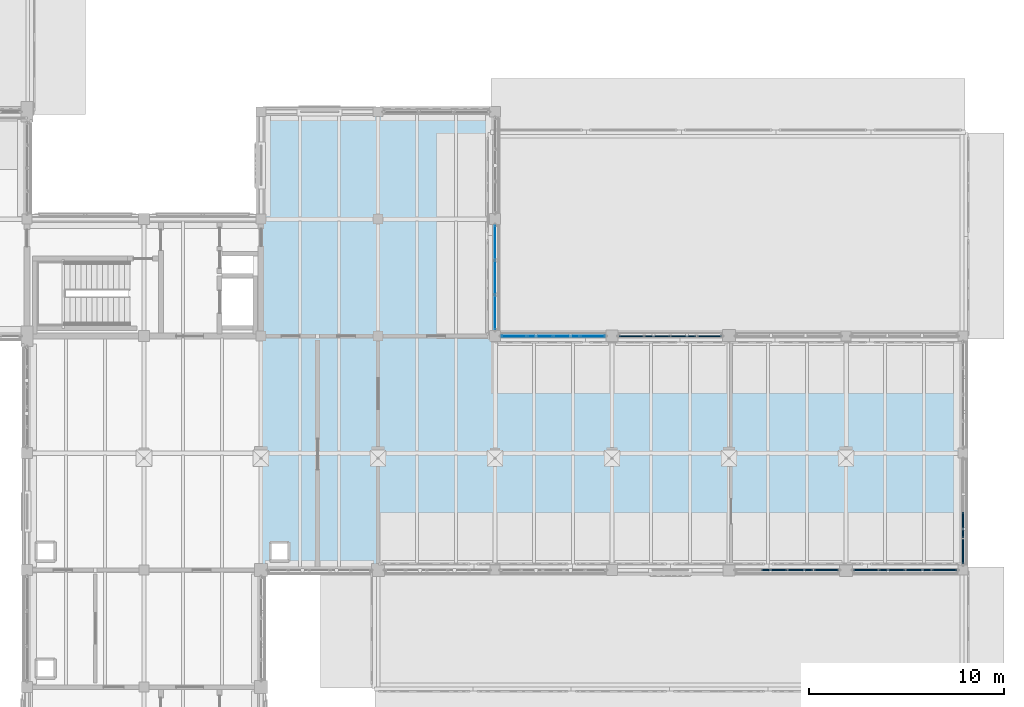
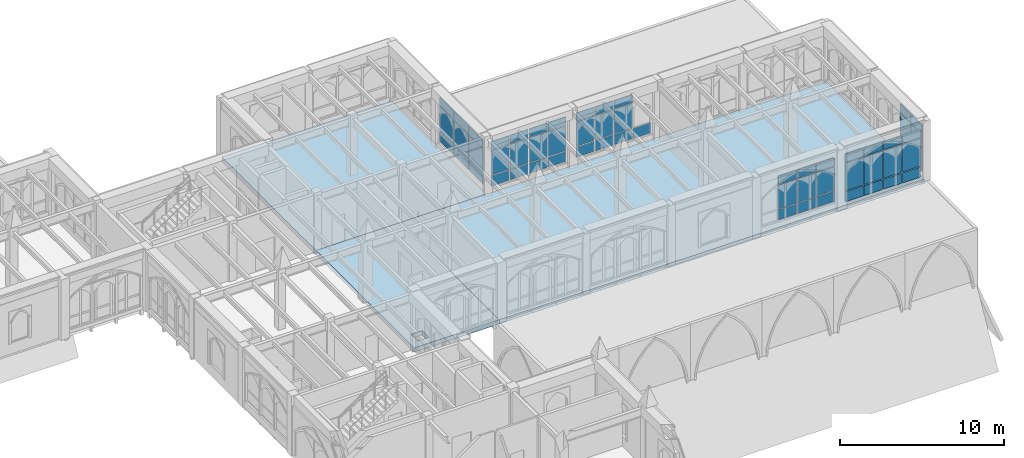
# One storey, part 98 of 143: 58 plates, 3 slabs, 6 elements without a shape of their own.
"""IFC4 building model written with IfcOpenShell, lengths in metres."""

from ifc_helpers import new_model, si_unit, direction, frame, origin, origin_2d, place, context, subcontext, project, spatial, polyline, rectangle, outline, extrude, material, layer, layer_set, type_object, element, aggregate, save


model = new_model("IFC4")

# Units and contexts
model_context = context("Model", 3, precision=1e-05, world=origin(), true_north=direction((0.0, 1.0)))
body_context = subcontext(model_context, "Body", "Model", "MODEL_VIEW")
ifc_project = project(units=[si_unit("LENGTHUNIT", "METRE"), si_unit("AREAUNIT", "SQUARE_METRE"), si_unit("VOLUMEUNIT", "CUBIC_METRE"), si_unit("PLANEANGLEUNIT", "RADIAN"), si_unit("MASSUNIT", "GRAM", prefix="KILO")], contexts=[model_context])

# Site, building, storey
site_placement = place(None, origin())
site = spatial("IfcSite", under=ifc_project, at=site_placement, CompositionType="ELEMENT")
building_placement = place(site_placement, origin())
building = spatial("IfcBuilding", under=site, at=building_placement, Name="Cumevento Cable Car Station", CompositionType="ELEMENT")
storey_placement = place(building_placement, frame((0.0, 0.0, 9.0)))
storey = spatial("IfcBuildingStorey", under=building, at=storey_placement, Name="L03", CompositionType="ELEMENT", Elevation=9.0)

# Slabs
ifc_material_1 = material(Name="Concrete C40/50", Category="concrete")
ifc_layer_1 = layer(ifc_material_1, 0.31005859375)
ifc_layer_set_1 = layer_set([ifc_layer_1], Name="Concrete C40/50")
slab_type_1 = type_object("IfcSlabType", Name="Concrete Deck BS-310 310", PredefinedType="BASESLAB", material=ifc_layer_set_1)
slab_1_placement = place(storey_placement, frame((0.0, 0.0, -0.31005859375)))
element("IfcSlab", 1, at=slab_1_placement, inside=storey, type_object=slab_type_1, Name="Base Slab BS-310 L03 B_V5b.1", PredefinedType="BASESLAB", context=body_context, shape_type="SweptSolid", body=[
    extrude(outline(polyline([(136.0, 33.0), (166.0, 33.0), (166.0, 45.0), (136.0, 45.0), (136.0, 33.0)])), origin(), (0.0, 0.0, 1.0), 0.31005859375),
])
ifc_material_2 = material(Name="Concrete C40/50", Category="concrete")
ifc_layer_2 = layer(ifc_material_2, 0.35009765625)
ifc_layer_set_2 = layer_set([ifc_layer_2], Name="Concrete C40/50")
slab_type_2 = type_object("IfcSlabType", Name="Concrete Deck BS-350 350", PredefinedType="BASESLAB", material=ifc_layer_set_2)
slab_2_placement = place(storey_placement, frame((0.0, 0.0, -0.35009765625)))
element("IfcSlab", 2, at=slab_2_placement, inside=storey, type_object=slab_type_2, Name="Base Slab BS-350 L03 B_V5c.1", PredefinedType="BASESLAB", context=body_context, shape_type="SweptSolid", body=[
    extrude(outline(polyline([(130.0, 45.0), (142.0, 45.0), (142.0, 56.5), (130.0, 56.5), (130.0, 45.0)])), origin(), (0.0, 0.0, 1.0), 0.35009765625),
])
ifc_material_3 = material(Name="Concrete C40/50", Category="concrete")
ifc_layer_3 = layer(ifc_material_3, 0.31494140625)
ifc_layer_set_3 = layer_set([ifc_layer_3], Name="Concrete C40/50")
slab_type_3 = type_object("IfcSlabType", Name="Concrete Deck FS-315 315", PredefinedType="FLOOR", material=ifc_layer_set_3)
slab_3_placement = place(storey_placement, frame((0.0, 0.0, -0.31494140625)))
element("IfcSlab", 3, at=slab_3_placement, inside=storey, type_object=slab_type_3, Name="Floor Slab FS-315 L03 B_V5a.2", PredefinedType="FLOOR", context=body_context, shape_type="SweptSolid", body=[
    extrude(outline(polyline([(130.0, 33.0), (136.0, 33.0), (136.0, 45.0), (130.0, 45.0), (130.0, 33.0)]), holes=[polyline([(130.550048828125, 33.550048828125), (131.35009765625, 33.550048828125), (131.35009765625, 34.35009765625), (130.550048828125, 34.35009765625), (130.550048828125, 33.550048828125)])]), origin(), (0.0, 0.0, 1.0), 0.31494140625),
])

# Curtain wall, plates
ifc_material_4 = material(Name="Anodised Bronze Aluminium AW-6063-T6", Category="aluminium")
ifc_layer_4 = layer(ifc_material_4, 0.243896484375)
ifc_layer_set_4 = layer_set([ifc_layer_4], Name="Anodised Bronze Aluminium AW-6063-T6")
curtain_wall_type_1 = type_object("IfcCurtainWallType", Name="Lancet Curtain Wall CW-15 1610", PredefinedType="NOTDEFINED", material=ifc_layer_set_4)
curtain_wall_1_placement = place(storey_placement, origin())
curtain_wall_1 = element("IfcCurtainWall", 4, at=curtain_wall_1_placement, inside=storey, type_object=curtain_wall_type_1, Name="Lancet Curtain Wall CW-15 L03 #142", PredefinedType="NOTDEFINED")
ifc_material_5 = material(Name="Solar Control Laminated Double Glazing", Category="glass")
ifc_layer_5 = layer(ifc_material_5, 0.030029296875)
ifc_layer_set_5 = layer_set([ifc_layer_5], Name="Solar Control Laminated Double Glazing")
plate_type_1 = type_object("IfcPlateType", Name="Glazed Panel CWP-03 30", PredefinedType="CURTAIN_PANEL", material=ifc_layer_set_5)
plate_1_placement = place(storey_placement, frame((142.0, 49.800537109375, 0.525146484375), z_axis=(0.0, 0.0, 1.0), x_axis=(0.0, -1.0, 0.0)))
plate_1 = element("IfcPlate", 5, at=plate_1_placement, type_object=plate_type_1, Name="CW-15 panel 1.1", PredefinedType="CURTAIN_PANEL", context=body_context, shape_type="SweptSolid", body=[
    extrude(rectangle(XDim=1.71923828125, YDim=0.030029296875, at=origin_2d()), origin(), (0.0, 0.0, 1.0), 0.75244140625),
])
plate_2_placement = place(storey_placement, frame((142.0, 49.800537109375, 1.342529296875), z_axis=(0.0, 0.0, 1.0), x_axis=(0.0, -1.0, 0.0)))
plate_2 = element("IfcPlate", 6, at=plate_2_placement, type_object=plate_type_1, Name="CW-15 panel 1.2", PredefinedType="CURTAIN_PANEL", context=body_context, shape_type="SweptSolid", body=[
    extrude(rectangle(XDim=1.71923828125, YDim=0.030029296875, at=origin_2d()), origin(), (0.0, 0.0, 1.0), 1.7939453125),
])
plate_3_placement = place(storey_placement, frame((142.0, 49.800537109375, 3.201416015625), z_axis=(0.0, 0.0, 1.0), x_axis=(0.0, -1.0, 0.0)))
plate_3 = element("IfcPlate", 7, at=plate_3_placement, type_object=plate_type_1, Name="CW-15 panel 1.3", PredefinedType="CURTAIN_PANEL", context=body_context, shape_type="SweptSolid", body=[
    extrude(rectangle(XDim=1.71923828125, YDim=0.030029296875, at=origin_2d()), origin(), (0.0, 0.0, 1.0), 0.6025390625),
])
plate_4_placement = place(storey_placement, frame((142.0, 48.0, 0.525146484375), z_axis=(0.0, 0.0, 1.0), x_axis=(0.0, -1.0, 0.0)))
plate_4 = element("IfcPlate", 8, at=plate_4_placement, type_object=plate_type_1, Name="CW-15 panel 2.1", PredefinedType="CURTAIN_PANEL", context=body_context, shape_type="SweptSolid", body=[
    extrude(rectangle(XDim=1.751708984375, YDim=0.030029296875, at=origin_2d()), origin(), (0.0, 0.0, 1.0), 0.75244140625),
])
plate_5_placement = place(storey_placement, frame((142.0, 48.0, 1.342529296875), z_axis=(0.0, 0.0, 1.0), x_axis=(0.0, -1.0, 0.0)))
plate_5 = element("IfcPlate", 9, at=plate_5_placement, type_object=plate_type_1, Name="CW-15 panel 2.2", PredefinedType="CURTAIN_PANEL", context=body_context, shape_type="SweptSolid", body=[
    extrude(rectangle(XDim=1.751708984375, YDim=0.030029296875, at=origin_2d()), origin(), (0.0, 0.0, 1.0), 1.7939453125),
])
plate_6_placement = place(storey_placement, frame((142.0, 48.0, 3.201416015625), z_axis=(0.0, 0.0, 1.0), x_axis=(0.0, -1.0, 0.0)))
plate_6 = element("IfcPlate", 10, at=plate_6_placement, type_object=plate_type_1, Name="CW-15 panel 2.3", PredefinedType="CURTAIN_PANEL", context=body_context, shape_type="SweptSolid", body=[
    extrude(rectangle(XDim=1.751708984375, YDim=0.030029296875, at=origin_2d()), origin(), (0.0, 0.0, 1.0), 0.6025390625),
])
plate_7_placement = place(storey_placement, frame((142.0, 46.199462890625, 0.525146484375), z_axis=(0.0, 0.0, 1.0), x_axis=(0.0, -1.0, 0.0)))
plate_7 = element("IfcPlate", 11, at=plate_7_placement, type_object=plate_type_1, Name="CW-15 panel 3.1", PredefinedType="CURTAIN_PANEL", context=body_context, shape_type="SweptSolid", body=[
    extrude(rectangle(XDim=1.71923828125, YDim=0.030029296875, at=origin_2d()), origin(), (0.0, 0.0, 1.0), 0.75244140625),
])
plate_8_placement = place(storey_placement, frame((142.0, 46.199462890625, 1.342529296875), z_axis=(0.0, 0.0, 1.0), x_axis=(0.0, -1.0, 0.0)))
plate_8 = element("IfcPlate", 12, at=plate_8_placement, type_object=plate_type_1, Name="CW-15 panel 3.2", PredefinedType="CURTAIN_PANEL", context=body_context, shape_type="SweptSolid", body=[
    extrude(rectangle(XDim=1.71923828125, YDim=0.030029296875, at=origin_2d()), origin(), (0.0, 0.0, 1.0), 1.7939453125),
])
plate_9_placement = place(storey_placement, frame((142.0, 46.199462890625, 3.201416015625), z_axis=(0.0, 0.0, 1.0), x_axis=(0.0, -1.0, 0.0)))
plate_9 = element("IfcPlate", 13, at=plate_9_placement, type_object=plate_type_1, Name="CW-15 panel 3.3", PredefinedType="CURTAIN_PANEL", context=body_context, shape_type="SweptSolid", body=[
    extrude(rectangle(XDim=1.71923828125, YDim=0.030029296875, at=origin_2d()), origin(), (0.0, 0.0, 1.0), 0.6025390625),
])
aggregate(curtain_wall_1, [plate_1, plate_2, plate_3, plate_4, plate_5, plate_6, plate_7, plate_8, plate_9])

ifc_material_6 = material(Name="Anodised Bronze Aluminium AW-6063-T6", Category="aluminium")
ifc_layer_6 = layer(ifc_material_6, 0.18994140625)
ifc_layer_set_6 = layer_set([ifc_layer_6], Name="Anodised Bronze Aluminium AW-6063-T6")
curtain_wall_type_2 = type_object("IfcCurtainWallType", Name="Lancet Curtain Wall CW-06 1250", PredefinedType="NOTDEFINED", material=ifc_layer_set_6)
curtain_wall_2_placement = place(storey_placement, origin())
curtain_wall_2 = element("IfcCurtainWall", 14, at=curtain_wall_2_placement, inside=storey, type_object=curtain_wall_type_2, Name="Lancet Curtain Wall CW-06 L03 #133", PredefinedType="NOTDEFINED")
ifc_material_7 = material(Name="Solar Control Laminated Double Glazing", Category="glass")
ifc_layer_7 = layer(ifc_material_7, 0.050048828125)
ifc_layer_set_7 = layer_set([ifc_layer_7], Name="Solar Control Laminated Double Glazing")
plate_type_2 = type_object("IfcPlateType", Name="Glazed Panel CWP-08 50", PredefinedType="CURTAIN_PANEL", material=ifc_layer_set_7)
plate_10_placement = place(storey_placement, frame((142.969482421875, 45.0, 0.47509765625), z_axis=(0.0, 0.0, 1.0), x_axis=(1.0, 0.0, 0.0)))
plate_10 = element("IfcPlate", 15, at=plate_10_placement, type_object=plate_type_2, Name="CW-06 panel 1.1", PredefinedType="CURTAIN_PANEL", context=body_context, shape_type="SweptSolid", body=[
    extrude(rectangle(XDim=1.2587890625, YDim=0.050048828125, at=origin_2d()), origin(), (0.0, 0.0, 1.0), 0.75244140625),
])
plate_11_placement = place(storey_placement, frame((142.969482421875, 45.0, 1.29248046875), z_axis=(0.0, 0.0, 1.0), x_axis=(1.0, 0.0, 0.0)))
plate_11 = element("IfcPlate", 16, at=plate_11_placement, type_object=plate_type_2, Name="CW-06 panel 1.2", PredefinedType="CURTAIN_PANEL", context=body_context, shape_type="SweptSolid", body=[
    extrude(rectangle(XDim=1.2587890625, YDim=0.050048828125, at=origin_2d()), origin(), (0.0, 0.0, 1.0), 1.843994140625),
])
plate_12_placement = place(storey_placement, frame((142.969482421875, 45.0, 3.201416015625), z_axis=(0.0, 0.0, 1.0), x_axis=(1.0, 0.0, 0.0)))
plate_12 = element("IfcPlate", 17, at=plate_12_placement, type_object=plate_type_2, Name="CW-06 panel 1.3", PredefinedType="CURTAIN_PANEL", context=body_context, shape_type="SweptSolid", body=[
    extrude(rectangle(XDim=1.2587890625, YDim=0.050048828125, at=origin_2d()), origin(), (0.0, 0.0, 1.0), 0.6025390625),
])
plate_13_placement = place(storey_placement, frame((144.309326171875, 45.0, 0.47509765625), z_axis=(0.0, 0.0, 1.0), x_axis=(1.0, 0.0, 0.0)))
plate_13 = element("IfcPlate", 18, at=plate_13_placement, type_object=plate_type_2, Name="CW-06 panel 2.1", PredefinedType="CURTAIN_PANEL", context=body_context, shape_type="SweptSolid", body=[
    extrude(rectangle(XDim=1.291259765625, YDim=0.050048828125, at=origin_2d()), origin(), (0.0, 0.0, 1.0), 0.75244140625),
])
plate_14_placement = place(storey_placement, frame((144.309326171875, 45.0, 1.29248046875), z_axis=(0.0, 0.0, 1.0), x_axis=(1.0, 0.0, 0.0)))
plate_14 = element("IfcPlate", 19, at=plate_14_placement, type_object=plate_type_2, Name="CW-06 panel 2.2", PredefinedType="CURTAIN_PANEL", context=body_context, shape_type="SweptSolid", body=[
    extrude(rectangle(XDim=1.291259765625, YDim=0.050048828125, at=origin_2d()), origin(), (0.0, 0.0, 1.0), 1.843994140625),
])
plate_15_placement = place(storey_placement, frame((144.309326171875, 45.0, 3.201416015625), z_axis=(0.0, 0.0, 1.0), x_axis=(1.0, 0.0, 0.0)))
plate_15 = element("IfcPlate", 20, at=plate_15_placement, type_object=plate_type_2, Name="CW-06 panel 2.3", PredefinedType="CURTAIN_PANEL", context=body_context, shape_type="SweptSolid", body=[
    extrude(rectangle(XDim=1.291259765625, YDim=0.050048828125, at=origin_2d()), origin(), (0.0, 0.0, 1.0), 0.6025390625),
])
plate_16_placement = place(storey_placement, frame((145.66552734375, 45.0, 0.47509765625), z_axis=(0.0, 0.0, 1.0), x_axis=(1.0, 0.0, 0.0)))
plate_16 = element("IfcPlate", 21, at=plate_16_placement, type_object=plate_type_2, Name="CW-06 panel 3.1", PredefinedType="CURTAIN_PANEL", context=body_context, shape_type="SweptSolid", body=[
    extrude(rectangle(XDim=1.291259765625, YDim=0.050048828125, at=origin_2d()), origin(), (0.0, 0.0, 1.0), 0.75244140625),
])
plate_17_placement = place(storey_placement, frame((145.66552734375, 45.0, 1.29248046875), z_axis=(0.0, 0.0, 1.0), x_axis=(1.0, 0.0, 0.0)))
plate_17 = element("IfcPlate", 22, at=plate_17_placement, type_object=plate_type_2, Name="CW-06 panel 3.2", PredefinedType="CURTAIN_PANEL", context=body_context, shape_type="SweptSolid", body=[
    extrude(rectangle(XDim=1.291259765625, YDim=0.050048828125, at=origin_2d()), origin(), (0.0, 0.0, 1.0), 1.843994140625),
])
plate_18_placement = place(storey_placement, frame((145.66552734375, 45.0, 3.201416015625), z_axis=(0.0, 0.0, 1.0), x_axis=(1.0, 0.0, 0.0)))
plate_18 = element("IfcPlate", 23, at=plate_18_placement, type_object=plate_type_2, Name="CW-06 panel 3.3", PredefinedType="CURTAIN_PANEL", context=body_context, shape_type="SweptSolid", body=[
    extrude(rectangle(XDim=1.291259765625, YDim=0.050048828125, at=origin_2d()), origin(), (0.0, 0.0, 1.0), 0.6025390625),
])
plate_19_placement = place(storey_placement, frame((147.005615234375, 45.0, 0.47509765625), z_axis=(0.0, 0.0, 1.0), x_axis=(1.0, 0.0, 0.0)))
plate_19 = element("IfcPlate", 24, at=plate_19_placement, type_object=plate_type_2, Name="CW-06 panel 4.1", PredefinedType="CURTAIN_PANEL", context=body_context, shape_type="SweptSolid", body=[
    extrude(rectangle(XDim=1.2587890625, YDim=0.050048828125, at=origin_2d()), origin(), (0.0, 0.0, 1.0), 0.75244140625),
])
plate_20_placement = place(storey_placement, frame((147.005615234375, 45.0, 1.29248046875), z_axis=(0.0, 0.0, 1.0), x_axis=(1.0, 0.0, 0.0)))
plate_20 = element("IfcPlate", 25, at=plate_20_placement, type_object=plate_type_2, Name="CW-06 panel 4.2", PredefinedType="CURTAIN_PANEL", context=body_context, shape_type="SweptSolid", body=[
    extrude(rectangle(XDim=1.2587890625, YDim=0.050048828125, at=origin_2d()), origin(), (0.0, 0.0, 1.0), 1.843994140625),
])
plate_21_placement = place(storey_placement, frame((147.005615234375, 45.0, 3.201416015625), z_axis=(0.0, 0.0, 1.0), x_axis=(1.0, 0.0, 0.0)))
plate_21 = element("IfcPlate", 26, at=plate_21_placement, type_object=plate_type_2, Name="CW-06 panel 4.3", PredefinedType="CURTAIN_PANEL", context=body_context, shape_type="SweptSolid", body=[
    extrude(rectangle(XDim=1.2587890625, YDim=0.050048828125, at=origin_2d()), origin(), (0.0, 0.0, 1.0), 0.6025390625),
])
aggregate(curtain_wall_2, [plate_10, plate_11, plate_12, plate_13, plate_14, plate_15, plate_16, plate_17, plate_18, plate_19, plate_20, plate_21])

ifc_material_8 = material(Name="Anodised Bronze Aluminium AW-6063-T6", Category="aluminium")
ifc_layer_8 = layer(ifc_material_8, 0.196044921875)
ifc_layer_set_8 = layer_set([ifc_layer_8], Name="Anodised Bronze Aluminium AW-6063-T6")
curtain_wall_type_3 = type_object("IfcCurtainWallType", Name="Lancet Curtain Wall CW-07 1290", PredefinedType="NOTDEFINED", material=ifc_layer_set_8)
curtain_wall_3_placement = place(storey_placement, origin())
curtain_wall_3 = element("IfcCurtainWall", 27, at=curtain_wall_3_placement, inside=storey, type_object=curtain_wall_type_3, Name="Lancet Curtain Wall CW-07 L03 #134", PredefinedType="NOTDEFINED")
ifc_material_9 = material(Name="Insulated Bronze Aluminium Spandrel Panel", Category="aluminium")
ifc_layer_9 = layer(ifc_material_9, 0.054931640625)
ifc_layer_set_9 = layer_set([ifc_layer_9], Name="Insulated Bronze Aluminium Spandrel Panel")
plate_type_3 = type_object("IfcPlateType", Name="Spandrel Panel CWP-09 55", PredefinedType="CURTAIN_PANEL", material=ifc_layer_set_9)
plate_22_placement = place(storey_placement, frame((148.988037109375, 45.0, 0.525146484375), z_axis=(0.0, 0.0, 1.0), x_axis=(1.0, 0.0, 0.0)))
plate_22 = element("IfcPlate", 28, at=plate_22_placement, type_object=plate_type_3, Name="CW-07 panel 1.1", PredefinedType="CURTAIN_PANEL", context=body_context, shape_type="SweptSolid", body=[
    extrude(rectangle(XDim=1.246337890625, YDim=0.054931640625, at=origin_2d()), origin(), (0.0, 0.0, 1.0), 0.75244140625),
])
plate_23_placement = place(storey_placement, frame((148.988037109375, 45.0, 1.34228515625), z_axis=(0.0, 0.0, 1.0), x_axis=(1.0, 0.0, 0.0)))
plate_23 = element("IfcPlate", 29, at=plate_23_placement, type_object=plate_type_3, Name="CW-07 panel 1.2", PredefinedType="CURTAIN_PANEL", context=body_context, shape_type="SweptSolid", body=[
    extrude(rectangle(XDim=1.246337890625, YDim=0.054931640625, at=origin_2d()), origin(), (0.0, 0.0, 1.0), 1.818115234375),
])
plate_24_placement = place(storey_placement, frame((148.988037109375, 45.0, 3.2255859375), z_axis=(0.0, 0.0, 1.0), x_axis=(1.0, 0.0, 0.0)))
plate_24 = element("IfcPlate", 30, at=plate_24_placement, type_object=plate_type_3, Name="CW-07 panel 1.3", PredefinedType="CURTAIN_PANEL", context=body_context, shape_type="SweptSolid", body=[
    extrude(rectangle(XDim=1.246337890625, YDim=0.054931640625, at=origin_2d()), origin(), (0.0, 0.0, 1.0), 0.6025390625),
])
plate_25_placement = place(storey_placement, frame((150.315673828125, 45.0, 0.525146484375), z_axis=(0.0, 0.0, 1.0), x_axis=(1.0, 0.0, 0.0)))
plate_25 = element("IfcPlate", 31, at=plate_25_placement, type_object=plate_type_3, Name="CW-07 panel 2.1", PredefinedType="CURTAIN_PANEL", context=body_context, shape_type="SweptSolid", body=[
    extrude(rectangle(XDim=1.27880859375, YDim=0.054931640625, at=origin_2d()), origin(), (0.0, 0.0, 1.0), 0.75244140625),
])
plate_26_placement = place(storey_placement, frame((150.315673828125, 45.0, 1.34228515625), z_axis=(0.0, 0.0, 1.0), x_axis=(1.0, 0.0, 0.0)))
plate_26 = element("IfcPlate", 32, at=plate_26_placement, type_object=plate_type_3, Name="CW-07 panel 2.2", PredefinedType="CURTAIN_PANEL", context=body_context, shape_type="SweptSolid", body=[
    extrude(rectangle(XDim=1.27880859375, YDim=0.054931640625, at=origin_2d()), origin(), (0.0, 0.0, 1.0), 1.818115234375),
])
plate_27_placement = place(storey_placement, frame((150.315673828125, 45.0, 3.2255859375), z_axis=(0.0, 0.0, 1.0), x_axis=(1.0, 0.0, 0.0)))
plate_27 = element("IfcPlate", 33, at=plate_27_placement, type_object=plate_type_3, Name="CW-07 panel 2.3", PredefinedType="CURTAIN_PANEL", context=body_context, shape_type="SweptSolid", body=[
    extrude(rectangle(XDim=1.27880859375, YDim=0.054931640625, at=origin_2d()), origin(), (0.0, 0.0, 1.0), 0.6025390625),
])
plate_28_placement = place(storey_placement, frame((151.659423828125, 45.0, 0.525146484375), z_axis=(0.0, 0.0, 1.0), x_axis=(1.0, 0.0, 0.0)))
plate_28 = element("IfcPlate", 34, at=plate_28_placement, type_object=plate_type_3, Name="CW-07 panel 3.1", PredefinedType="CURTAIN_PANEL", context=body_context, shape_type="SweptSolid", body=[
    extrude(rectangle(XDim=1.27880859375, YDim=0.054931640625, at=origin_2d()), origin(), (0.0, 0.0, 1.0), 0.75244140625),
])
plate_29_placement = place(storey_placement, frame((151.659423828125, 45.0, 1.34228515625), z_axis=(0.0, 0.0, 1.0), x_axis=(1.0, 0.0, 0.0)))
plate_29 = element("IfcPlate", 35, at=plate_29_placement, type_object=plate_type_3, Name="CW-07 panel 3.2", PredefinedType="CURTAIN_PANEL", context=body_context, shape_type="SweptSolid", body=[
    extrude(rectangle(XDim=1.27880859375, YDim=0.054931640625, at=origin_2d()), origin(), (0.0, 0.0, 1.0), 1.818115234375),
])
plate_30_placement = place(storey_placement, frame((151.659423828125, 45.0, 3.2255859375), z_axis=(0.0, 0.0, 1.0), x_axis=(1.0, 0.0, 0.0)))
plate_30 = element("IfcPlate", 36, at=plate_30_placement, type_object=plate_type_3, Name="CW-07 panel 3.3", PredefinedType="CURTAIN_PANEL", context=body_context, shape_type="SweptSolid", body=[
    extrude(rectangle(XDim=1.27880859375, YDim=0.054931640625, at=origin_2d()), origin(), (0.0, 0.0, 1.0), 0.6025390625),
])
plate_31_placement = place(storey_placement, frame((152.98681640625, 45.0, 0.525146484375), z_axis=(0.0, 0.0, 1.0), x_axis=(1.0, 0.0, 0.0)))
plate_31 = element("IfcPlate", 37, at=plate_31_placement, type_object=plate_type_3, Name="CW-07 panel 4.1", PredefinedType="CURTAIN_PANEL", context=body_context, shape_type="SweptSolid", body=[
    extrude(rectangle(XDim=1.246337890625, YDim=0.054931640625, at=origin_2d()), origin(), (0.0, 0.0, 1.0), 0.75244140625),
])
aggregate(curtain_wall_3, [plate_22, plate_23, plate_24, plate_25, plate_26, plate_27, plate_28, plate_29, plate_30, plate_31])

ifc_material_10 = material(Name="Anodised Bronze Aluminium AW-6063-T6", Category="aluminium")
ifc_layer_10 = layer(ifc_material_10, 0.201904296875)
ifc_layer_set_10 = layer_set([ifc_layer_10], Name="Anodised Bronze Aluminium AW-6063-T6")
curtain_wall_type_4 = type_object("IfcCurtainWallType", Name="Lancet Curtain Wall CW-08 1330", PredefinedType="NOTDEFINED", material=ifc_layer_set_10)
curtain_wall_4_placement = place(storey_placement, origin())
curtain_wall_4 = element("IfcCurtainWall", 38, at=curtain_wall_4_placement, inside=storey, type_object=curtain_wall_type_4, Name="Lancet Curtain Wall CW-08 L03 #135", PredefinedType="NOTDEFINED")
ifc_material_11 = material(Name="Insulated Bronze Aluminium Spandrel Panel", Category="aluminium")
ifc_layer_11 = layer(ifc_material_11, 0.06005859375)
ifc_layer_set_11 = layer_set([ifc_layer_11], Name="Insulated Bronze Aluminium Spandrel Panel")
plate_type_4 = type_object("IfcPlateType", Name="Spandrel Panel CWP-10 60", PredefinedType="CURTAIN_PANEL", material=ifc_layer_set_11)
plate_32_placement = place(storey_placement, frame((158.98681640625, 33.0, 0.5849609375), z_axis=(0.0, 0.0, 1.0), x_axis=(-1.0, 0.0, 0.0)))
plate_32 = element("IfcPlate", 39, at=plate_32_placement, type_object=plate_type_4, Name="CW-08 panel 1.1", PredefinedType="CURTAIN_PANEL", context=body_context, shape_type="SweptSolid", body=[
    extrude(rectangle(XDim=1.246337890625, YDim=0.06005859375, at=origin_2d()), origin(), (0.0, 0.0, 1.0), 0.75244140625),
])
plate_33_placement = place(storey_placement, frame((158.98681640625, 33.0, 1.40234375), z_axis=(0.0, 0.0, 1.0), x_axis=(-1.0, 0.0, 0.0)))
plate_33 = element("IfcPlate", 40, at=plate_33_placement, type_object=plate_type_4, Name="CW-08 panel 1.2", PredefinedType="CURTAIN_PANEL", context=body_context, shape_type="SweptSolid", body=[
    extrude(rectangle(XDim=1.246337890625, YDim=0.06005859375, at=origin_2d()), origin(), (0.0, 0.0, 1.0), 1.758056640625),
])
plate_34_placement = place(storey_placement, frame((158.98681640625, 33.0, 3.2255859375), z_axis=(0.0, 0.0, 1.0), x_axis=(-1.0, 0.0, 0.0)))
plate_34 = element("IfcPlate", 41, at=plate_34_placement, type_object=plate_type_4, Name="CW-08 panel 1.3", PredefinedType="CURTAIN_PANEL", context=body_context, shape_type="SweptSolid", body=[
    extrude(rectangle(XDim=1.246337890625, YDim=0.06005859375, at=origin_2d()), origin(), (0.0, 0.0, 1.0), 0.6025390625),
])
plate_35_placement = place(storey_placement, frame((157.659423828125, 33.0, 0.5849609375), z_axis=(0.0, 0.0, 1.0), x_axis=(-1.0, 0.0, 0.0)))
plate_35 = element("IfcPlate", 42, at=plate_35_placement, type_object=plate_type_4, Name="CW-08 panel 2.1", PredefinedType="CURTAIN_PANEL", context=body_context, shape_type="SweptSolid", body=[
    extrude(rectangle(XDim=1.27880859375, YDim=0.06005859375, at=origin_2d()), origin(), (0.0, 0.0, 1.0), 0.75244140625),
])
plate_36_placement = place(storey_placement, frame((157.659423828125, 33.0, 1.40234375), z_axis=(0.0, 0.0, 1.0), x_axis=(-1.0, 0.0, 0.0)))
plate_36 = element("IfcPlate", 43, at=plate_36_placement, type_object=plate_type_4, Name="CW-08 panel 2.2", PredefinedType="CURTAIN_PANEL", context=body_context, shape_type="SweptSolid", body=[
    extrude(rectangle(XDim=1.27880859375, YDim=0.06005859375, at=origin_2d()), origin(), (0.0, 0.0, 1.0), 1.758056640625),
])
plate_37_placement = place(storey_placement, frame((157.659423828125, 33.0, 3.2255859375), z_axis=(0.0, 0.0, 1.0), x_axis=(-1.0, 0.0, 0.0)))
plate_37 = element("IfcPlate", 44, at=plate_37_placement, type_object=plate_type_4, Name="CW-08 panel 2.3", PredefinedType="CURTAIN_PANEL", context=body_context, shape_type="SweptSolid", body=[
    extrude(rectangle(XDim=1.27880859375, YDim=0.06005859375, at=origin_2d()), origin(), (0.0, 0.0, 1.0), 0.6025390625),
])
plate_38_placement = place(storey_placement, frame((156.315673828125, 33.0, 0.5849609375), z_axis=(0.0, 0.0, 1.0), x_axis=(-1.0, 0.0, 0.0)))
plate_38 = element("IfcPlate", 45, at=plate_38_placement, type_object=plate_type_4, Name="CW-08 panel 3.1", PredefinedType="CURTAIN_PANEL", context=body_context, shape_type="SweptSolid", body=[
    extrude(rectangle(XDim=1.27880859375, YDim=0.06005859375, at=origin_2d()), origin(), (0.0, 0.0, 1.0), 0.75244140625),
])
plate_39_placement = place(storey_placement, frame((156.315673828125, 33.0, 1.40234375), z_axis=(0.0, 0.0, 1.0), x_axis=(-1.0, 0.0, 0.0)))
plate_39 = element("IfcPlate", 46, at=plate_39_placement, type_object=plate_type_4, Name="CW-08 panel 3.2", PredefinedType="CURTAIN_PANEL", context=body_context, shape_type="SweptSolid", body=[
    extrude(rectangle(XDim=1.27880859375, YDim=0.06005859375, at=origin_2d()), origin(), (0.0, 0.0, 1.0), 1.758056640625),
])
plate_40_placement = place(storey_placement, frame((156.315673828125, 33.0, 3.2255859375), z_axis=(0.0, 0.0, 1.0), x_axis=(-1.0, 0.0, 0.0)))
plate_40 = element("IfcPlate", 47, at=plate_40_placement, type_object=plate_type_4, Name="CW-08 panel 3.3", PredefinedType="CURTAIN_PANEL", context=body_context, shape_type="SweptSolid", body=[
    extrude(rectangle(XDim=1.27880859375, YDim=0.06005859375, at=origin_2d()), origin(), (0.0, 0.0, 1.0), 0.6025390625),
])
aggregate(curtain_wall_4, [plate_32, plate_33, plate_34, plate_35, plate_36, plate_37, plate_38, plate_39, plate_40])

ifc_material_12 = material(Name="Anodised Bronze Aluminium AW-6063-T6", Category="aluminium")
ifc_layer_12 = layer(ifc_material_12, 0.214111328125)
ifc_layer_set_12 = layer_set([ifc_layer_12], Name="Anodised Bronze Aluminium AW-6063-T6")
curtain_wall_type_5 = type_object("IfcCurtainWallType", Name="Lancet Curtain Wall CW-10 1410", PredefinedType="NOTDEFINED", material=ifc_layer_set_12)
curtain_wall_5_placement = place(storey_placement, origin())
curtain_wall_5 = element("IfcCurtainWall", 48, at=curtain_wall_5_placement, inside=storey, type_object=curtain_wall_type_5, Name="Lancet Curtain Wall CW-10 L03 #137", PredefinedType="NOTDEFINED")
ifc_material_13 = material(Name="Insulated Bronze Aluminium Spandrel Panel", Category="aluminium")
ifc_layer_13 = layer(ifc_material_13, 0.072021484375)
ifc_layer_set_13 = layer_set([ifc_layer_13], Name="Insulated Bronze Aluminium Spandrel Panel")
plate_type_5 = type_object("IfcPlateType", Name="Spandrel Panel CWP-12 72", PredefinedType="CURTAIN_PANEL", material=ifc_layer_set_13)
plate_41_placement = place(storey_placement, frame((165.0556640625, 33.0, 0.275146484375), z_axis=(0.0, 0.0, 1.0), x_axis=(-1.0, 0.0, 0.0)))
plate_41 = element("IfcPlate", 49, at=plate_41_placement, type_object=plate_type_5, Name="CW-10 panel 1.1", PredefinedType="CURTAIN_PANEL", context=body_context, shape_type="SweptSolid", body=[
    extrude(rectangle(XDim=1.2587890625, YDim=0.072021484375, at=origin_2d()), origin(), (0.0, 0.0, 1.0), 0.75244140625),
])
plate_42_placement = place(storey_placement, frame((165.0556640625, 33.0, 1.09228515625), z_axis=(0.0, 0.0, 1.0), x_axis=(-1.0, 0.0, 0.0)))
plate_42 = element("IfcPlate", 50, at=plate_42_placement, type_object=plate_type_5, Name="CW-10 panel 1.2", PredefinedType="CURTAIN_PANEL", context=body_context, shape_type="SweptSolid", body=[
    extrude(rectangle(XDim=1.2587890625, YDim=0.072021484375, at=origin_2d()), origin(), (0.0, 0.0, 1.0), 2.068115234375),
])
plate_43_placement = place(storey_placement, frame((165.0556640625, 33.0, 3.2255859375), z_axis=(0.0, 0.0, 1.0), x_axis=(-1.0, 0.0, 0.0)))
plate_43 = element("IfcPlate", 51, at=plate_43_placement, type_object=plate_type_5, Name="CW-10 panel 1.3", PredefinedType="CURTAIN_PANEL", context=body_context, shape_type="SweptSolid", body=[
    extrude(rectangle(XDim=1.2587890625, YDim=0.072021484375, at=origin_2d()), origin(), (0.0, 0.0, 1.0), 0.6025390625),
])
plate_44_placement = place(storey_placement, frame((163.715576171875, 33.0, 0.275146484375), z_axis=(0.0, 0.0, 1.0), x_axis=(-1.0, 0.0, 0.0)))
plate_44 = element("IfcPlate", 52, at=plate_44_placement, type_object=plate_type_5, Name="CW-10 panel 2.1", PredefinedType="CURTAIN_PANEL", context=body_context, shape_type="SweptSolid", body=[
    extrude(rectangle(XDim=1.291259765625, YDim=0.072021484375, at=origin_2d()), origin(), (0.0, 0.0, 1.0), 0.75244140625),
])
plate_45_placement = place(storey_placement, frame((163.715576171875, 33.0, 1.09228515625), z_axis=(0.0, 0.0, 1.0), x_axis=(-1.0, 0.0, 0.0)))
plate_45 = element("IfcPlate", 53, at=plate_45_placement, type_object=plate_type_5, Name="CW-10 panel 2.2", PredefinedType="CURTAIN_PANEL", context=body_context, shape_type="SweptSolid", body=[
    extrude(rectangle(XDim=1.291259765625, YDim=0.072021484375, at=origin_2d()), origin(), (0.0, 0.0, 1.0), 2.068115234375),
])
plate_46_placement = place(storey_placement, frame((163.715576171875, 33.0, 3.2255859375), z_axis=(0.0, 0.0, 1.0), x_axis=(-1.0, 0.0, 0.0)))
plate_46 = element("IfcPlate", 54, at=plate_46_placement, type_object=plate_type_5, Name="CW-10 panel 2.3", PredefinedType="CURTAIN_PANEL", context=body_context, shape_type="SweptSolid", body=[
    extrude(rectangle(XDim=1.291259765625, YDim=0.072021484375, at=origin_2d()), origin(), (0.0, 0.0, 1.0), 0.6025390625),
])
plate_47_placement = place(storey_placement, frame((162.359375, 33.0, 0.275146484375), z_axis=(0.0, 0.0, 1.0), x_axis=(-1.0, 0.0, 0.0)))
plate_47 = element("IfcPlate", 55, at=plate_47_placement, type_object=plate_type_5, Name="CW-10 panel 3.1", PredefinedType="CURTAIN_PANEL", context=body_context, shape_type="SweptSolid", body=[
    extrude(rectangle(XDim=1.291259765625, YDim=0.072021484375, at=origin_2d()), origin(), (0.0, 0.0, 1.0), 0.75244140625),
])
plate_48_placement = place(storey_placement, frame((162.359375, 33.0, 1.09228515625), z_axis=(0.0, 0.0, 1.0), x_axis=(-1.0, 0.0, 0.0)))
plate_48 = element("IfcPlate", 56, at=plate_48_placement, type_object=plate_type_5, Name="CW-10 panel 3.2", PredefinedType="CURTAIN_PANEL", context=body_context, shape_type="SweptSolid", body=[
    extrude(rectangle(XDim=1.291259765625, YDim=0.072021484375, at=origin_2d()), origin(), (0.0, 0.0, 1.0), 2.068115234375),
])
plate_49_placement = place(storey_placement, frame((162.359375, 33.0, 3.2255859375), z_axis=(0.0, 0.0, 1.0), x_axis=(-1.0, 0.0, 0.0)))
plate_49 = element("IfcPlate", 57, at=plate_49_placement, type_object=plate_type_5, Name="CW-10 panel 3.3", PredefinedType="CURTAIN_PANEL", context=body_context, shape_type="SweptSolid", body=[
    extrude(rectangle(XDim=1.291259765625, YDim=0.072021484375, at=origin_2d()), origin(), (0.0, 0.0, 1.0), 0.6025390625),
])
plate_50_placement = place(storey_placement, frame((161.019287109375, 33.0, 0.275146484375), z_axis=(0.0, 0.0, 1.0), x_axis=(-1.0, 0.0, 0.0)))
plate_50 = element("IfcPlate", 58, at=plate_50_placement, type_object=plate_type_5, Name="CW-10 panel 4.1", PredefinedType="CURTAIN_PANEL", context=body_context, shape_type="SweptSolid", body=[
    extrude(rectangle(XDim=1.2587890625, YDim=0.072021484375, at=origin_2d()), origin(), (0.0, 0.0, 1.0), 0.75244140625),
])
plate_51_placement = place(storey_placement, frame((161.019287109375, 33.0, 1.09228515625), z_axis=(0.0, 0.0, 1.0), x_axis=(-1.0, 0.0, 0.0)))
plate_51 = element("IfcPlate", 59, at=plate_51_placement, type_object=plate_type_5, Name="CW-10 panel 4.2", PredefinedType="CURTAIN_PANEL", context=body_context, shape_type="SweptSolid", body=[
    extrude(rectangle(XDim=1.2587890625, YDim=0.072021484375, at=origin_2d()), origin(), (0.0, 0.0, 1.0), 2.068115234375),
])
plate_52_placement = place(storey_placement, frame((161.019287109375, 33.0, 3.2255859375), z_axis=(0.0, 0.0, 1.0), x_axis=(-1.0, 0.0, 0.0)))
plate_52 = element("IfcPlate", 60, at=plate_52_placement, type_object=plate_type_5, Name="CW-10 panel 4.3", PredefinedType="CURTAIN_PANEL", context=body_context, shape_type="SweptSolid", body=[
    extrude(rectangle(XDim=1.2587890625, YDim=0.072021484375, at=origin_2d()), origin(), (0.0, 0.0, 1.0), 0.6025390625),
])
aggregate(curtain_wall_5, [plate_41, plate_42, plate_43, plate_44, plate_45, plate_46, plate_47, plate_48, plate_49, plate_50, plate_51, plate_52])

ifc_material_14 = material(Name="Anodised Bronze Aluminium AW-6063-T6", Category="aluminium")
ifc_layer_14 = layer(ifc_material_14, 0.22607421875)
ifc_layer_set_14 = layer_set([ifc_layer_14], Name="Anodised Bronze Aluminium AW-6063-T6")
curtain_wall_type_6 = type_object("IfcCurtainWallType", Name="Lancet Curtain Wall CW-12 1490", PredefinedType="NOTDEFINED", material=ifc_layer_set_14)
curtain_wall_6_placement = place(storey_placement, origin())
curtain_wall_6 = element("IfcCurtainWall", 61, at=curtain_wall_6_placement, inside=storey, type_object=curtain_wall_type_6, Name="Lancet Curtain Wall CW-12 L03 #139", PredefinedType="NOTDEFINED")
ifc_material_15 = material(Name="Insulated Bronze Aluminium Spandrel Panel", Category="aluminium")
ifc_layer_15 = layer(ifc_material_15, 0.0849609375)
ifc_layer_set_15 = layer_set([ifc_layer_15], Name="Insulated Bronze Aluminium Spandrel Panel")
plate_type_6 = type_object("IfcPlateType", Name="Spandrel Panel CWP-14 85", PredefinedType="CURTAIN_PANEL", material=ifc_layer_set_15)
plate_53_placement = place(storey_placement, frame((166.0, 35.3125, 0.375), z_axis=(0.0, 0.0, 1.0), x_axis=(0.0, -1.0, 0.0)))
plate_53 = element("IfcPlate", 62, at=plate_53_placement, type_object=plate_type_6, Name="CW-12 panel 3.1", PredefinedType="CURTAIN_PANEL", context=body_context, shape_type="SweptSolid", body=[
    extrude(rectangle(XDim=1.31005859375, YDim=0.0849609375, at=origin_2d()), origin(), (0.0, 0.0, 1.0), 0.75244140625),
])
plate_54_placement = place(storey_placement, frame((166.0, 35.3125, 1.1923828125), z_axis=(0.0, 0.0, 1.0), x_axis=(0.0, -1.0, 0.0)))
plate_54 = element("IfcPlate", 63, at=plate_54_placement, type_object=plate_type_6, Name="CW-12 panel 3.2", PredefinedType="CURTAIN_PANEL", context=body_context, shape_type="SweptSolid", body=[
    extrude(rectangle(XDim=1.31005859375, YDim=0.0849609375, at=origin_2d()), origin(), (0.0, 0.0, 1.0), 1.968017578125),
])
plate_55_placement = place(storey_placement, frame((166.0, 35.3125, 3.2255859375), z_axis=(0.0, 0.0, 1.0), x_axis=(0.0, -1.0, 0.0)))
plate_55 = element("IfcPlate", 64, at=plate_55_placement, type_object=plate_type_6, Name="CW-12 panel 3.3", PredefinedType="CURTAIN_PANEL", context=body_context, shape_type="SweptSolid", body=[
    extrude(rectangle(XDim=1.31005859375, YDim=0.0849609375, at=origin_2d()), origin(), (0.0, 0.0, 1.0), 0.6025390625),
])
plate_56_placement = place(storey_placement, frame((166.0, 33.953857421875, 0.375), z_axis=(0.0, 0.0, 1.0), x_axis=(0.0, -1.0, 0.0)))
plate_56 = element("IfcPlate", 65, at=plate_56_placement, type_object=plate_type_6, Name="CW-12 panel 4.1", PredefinedType="CURTAIN_PANEL", context=body_context, shape_type="SweptSolid", body=[
    extrude(rectangle(XDim=1.277587890625, YDim=0.0849609375, at=origin_2d()), origin(), (0.0, 0.0, 1.0), 0.75244140625),
])
plate_57_placement = place(storey_placement, frame((166.0, 33.953857421875, 1.1923828125), z_axis=(0.0, 0.0, 1.0), x_axis=(0.0, -1.0, 0.0)))
plate_57 = element("IfcPlate", 66, at=plate_57_placement, type_object=plate_type_6, Name="CW-12 panel 4.2", PredefinedType="CURTAIN_PANEL", context=body_context, shape_type="SweptSolid", body=[
    extrude(rectangle(XDim=1.277587890625, YDim=0.0849609375, at=origin_2d()), origin(), (0.0, 0.0, 1.0), 1.968017578125),
])
plate_58_placement = place(storey_placement, frame((166.0, 33.953857421875, 3.2255859375), z_axis=(0.0, 0.0, 1.0), x_axis=(0.0, -1.0, 0.0)))
plate_58 = element("IfcPlate", 67, at=plate_58_placement, type_object=plate_type_6, Name="CW-12 panel 4.3", PredefinedType="CURTAIN_PANEL", context=body_context, shape_type="SweptSolid", body=[
    extrude(rectangle(XDim=1.277587890625, YDim=0.0849609375, at=origin_2d()), origin(), (0.0, 0.0, 1.0), 0.6025390625),
])
aggregate(curtain_wall_6, [plate_53, plate_54, plate_55, plate_56, plate_57, plate_58])

save(model, "model.ifc")
